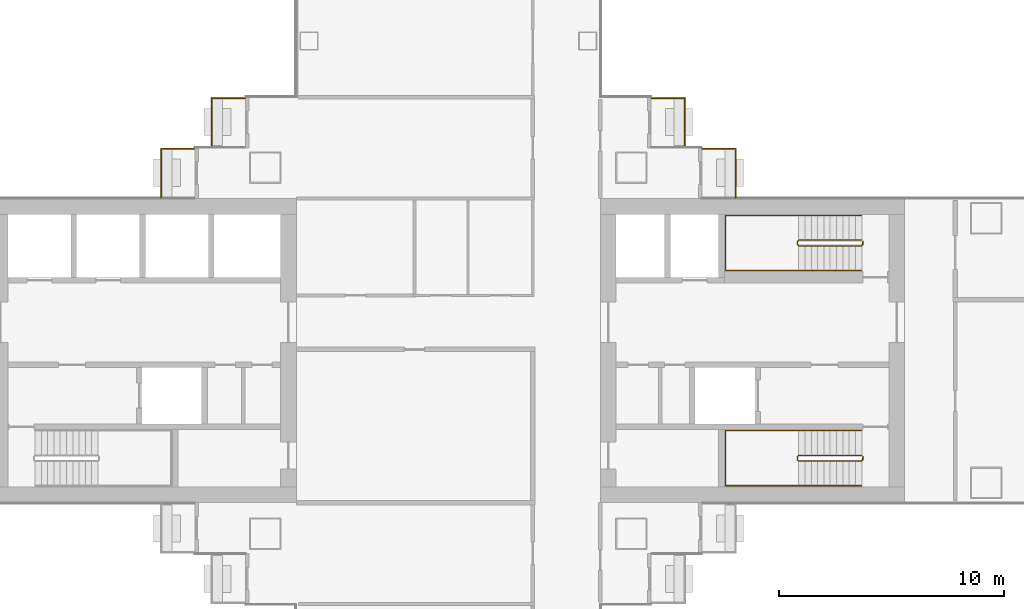
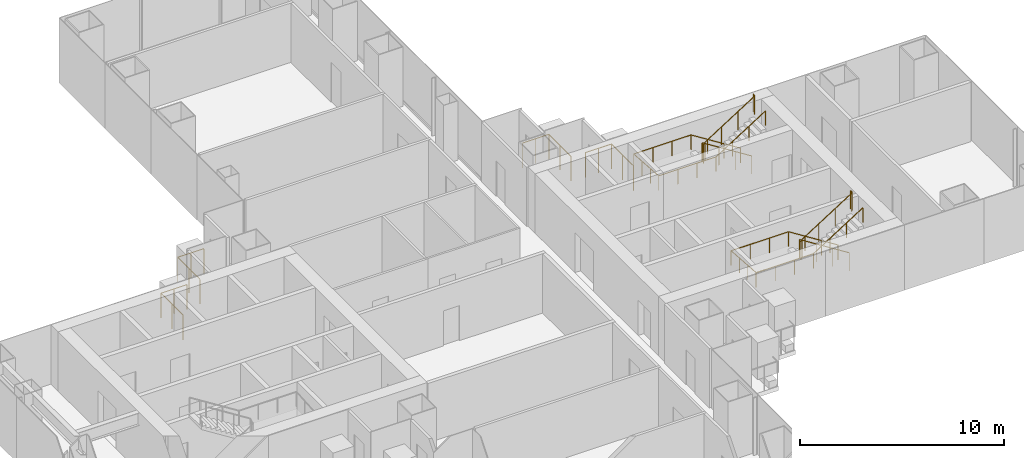
# One storey, part 20 of 21: 8 railings.
"""IFC4 building model written with IfcOpenShell, lengths in metres."""

from ifc_helpers import new_model, si_unit, direction, frame, origin, origin_2d, place, context, subcontext, project, spatial, circle, extrude, material, type_object, element, save


model = new_model("IFC4")

# Units and contexts
model_context = context("Model", 3, precision=1e-05, world=origin(), true_north=direction((0.0, 1.0)))
body_context = subcontext(model_context, "Body", "Model", "MODEL_VIEW")
ifc_project = project(units=[si_unit("LENGTHUNIT", "METRE"), si_unit("AREAUNIT", "SQUARE_METRE"), si_unit("VOLUMEUNIT", "CUBIC_METRE"), si_unit("PLANEANGLEUNIT", "RADIAN"), si_unit("MASSUNIT", "GRAM", prefix="KILO")], contexts=[model_context])

# Site, building, storey
site_placement = place(None, origin())
site = spatial("IfcSite", under=ifc_project, at=site_placement, CompositionType="ELEMENT")
building_placement = place(site_placement, origin())
building = spatial("IfcBuilding", under=site, at=building_placement, Name="Shamsa Quay Exchange Towers", CompositionType="ELEMENT")
storey_placement = place(building_placement, frame((0.0, 0.0, 49.800048828125)))
storey = spatial("IfcBuildingStorey", under=building, at=storey_placement, Name="L10", CompositionType="ELEMENT", Elevation=49.800048828125)

# Railings
ifc_material_1 = material(Name="Steel S355, black powder-coated", Category="steel")
railing_type_1 = type_object("IfcRailingType", Name="BALCONY GUARD 1500", PredefinedType="GUARDRAIL", material=ifc_material_1)
for number, where, name in (
    (1, (24.72900390625, 11.199951171875, 0.0), "Balcony guard T2-PKEN L10"),
    (2, (22.47900390625, 8.949951171875, 0.0), "Balcony guard T2-PKEN L10"),
):
    element("IfcRailing", number, at=place(storey_placement, frame(where)), inside=storey, type_object=railing_type_1, Name=name, PredefinedType="GUARDRAIL", context=body_context, shape_type="SweptSolid", body=[
        extrude(circle(Radius=0.02392578125, at=origin_2d()), frame((0.0, 0.0, 1.47607421875), z_axis=(-1.0, 0.0, 0.0), x_axis=(0.0, -1.0, 0.0)), (0.0, 0.0, 1.0), 1.47900390625),
        extrude(circle(Radius=0.02392578125, at=origin_2d()), frame((-1.47900390625, 0.0, 1.47607421875), z_axis=(0.0, -1.0, 0.0), x_axis=(1.0, 0.0, 0.0)), (0.0, 0.0, 1.0), 2.161865234375),
        extrude(circle(Radius=0.02099609375, at=origin_2d()), origin(), (0.0, 0.0, 1.0), 1.451904296875),
        extrude(circle(Radius=0.02099609375, at=origin_2d()), frame((-0.739501953125, 0.0, 0.0)), (0.0, 0.0, 1.0), 1.451904296875),
        extrude(circle(Radius=0.02099609375, at=origin_2d()), frame((-1.47900390625, 0.0, 0.0)), (0.0, 0.0, 1.0), 1.451904296875),
        extrude(circle(Radius=0.02099609375, at=origin_2d()), frame((-1.47900390625, -1.0810546875, 0.0)), (0.0, 0.0, 1.0), 1.451904296875),
        extrude(circle(Radius=0.02099609375, at=origin_2d()), frame((-1.47900390625, -2.161865234375, 0.0)), (0.0, 0.0, 1.0), 1.451904296875),
    ])
for number, where, name in (
    (3, (44.25, 9.0380859375, 0.0), "Balcony guard T2-PKES L10"),
    (4, (46.5, 6.7880859375, 0.0), "Balcony guard T2-PKES L10"),
):
    element("IfcRailing", number, at=place(storey_placement, frame(where)), inside=storey, type_object=railing_type_1, Name=name, PredefinedType="GUARDRAIL", context=body_context, shape_type="SweptSolid", body=[
        extrude(circle(Radius=0.02392578125, at=origin_2d()), frame((0.0, 0.0, 1.47607421875), z_axis=(0.0, 1.0, 0.0), x_axis=(-1.0, 0.0, 0.0)), (0.0, 0.0, 1.0), 2.161865234375),
        extrude(circle(Radius=0.02392578125, at=origin_2d()), frame((0.0, 2.161865234375, 1.47607421875), z_axis=(-1.0, 0.0, 0.0), x_axis=(0.0, -1.0, 0.0)), (0.0, 0.0, 1.0), 1.47900390625),
        extrude(circle(Radius=0.02099609375, at=origin_2d()), origin(), (0.0, 0.0, 1.0), 1.451904296875),
        extrude(circle(Radius=0.02099609375, at=origin_2d()), frame((0.0, 1.0810546875, 0.0)), (0.0, 0.0, 1.0), 1.451904296875),
        extrude(circle(Radius=0.02099609375, at=origin_2d()), frame((0.0, 2.161865234375, 0.0)), (0.0, 0.0, 1.0), 1.451904296875),
        extrude(circle(Radius=0.02099609375, at=origin_2d()), frame((-0.739501953125, 2.161865234375, 0.0)), (0.0, 0.0, 1.0), 1.451904296875),
        extrude(circle(Radius=0.02099609375, at=origin_2d()), frame((-1.47900390625, 2.161865234375, 0.0)), (0.0, 0.0, 1.0), 1.451904296875),
    ])
ifc_material_2 = material(Name="Stainless steel", Category="steel")
railing_type_2 = type_object("IfcRailingType", Name="STAIR GUARD 1100", PredefinedType="GUARDRAIL", material=ifc_material_2)
railing_1_placement = place(storey_placement, frame((52.10009765625, -4.64990234375, 0.17724609375)))
element("IfcRailing", 5, at=railing_1_placement, inside=storey, type_object=railing_type_2, Name="L10 ST5 stair guard 1", PredefinedType="GUARDRAIL", context=body_context, shape_type="SweptSolid", body=[
    extrude(circle(Radius=0.02392578125, at=origin_2d()), frame((0.0, 0.0, 1.076171875), z_axis=(-0.844908973607, 0.0, 0.534910110503), x_axis=(0.0, -1.0, 0.0)), (0.0, 0.0, 1.0), 3.31396484375),
    extrude(circle(Radius=0.02392578125, at=origin_2d()), frame((-2.800048828125, 0.0, 2.8486328125), z_axis=(-0.707106781187, -0.707106781187, 0.0), x_axis=(0.707106781187, -0.707106781187, 0.0)), (0.0, 0.0, 1.0), 0.07080078125),
    extrude(circle(Radius=0.02392578125, at=origin_2d()), frame((-2.85009765625, -0.050048828125, 2.8486328125), z_axis=(0.0, -1.0, 0.0), x_axis=(1.0, 0.0, 0.0)), (0.0, 0.0, 1.0), 0.150146484375),
    extrude(circle(Radius=0.02392578125, at=origin_2d()), frame((-2.85009765625, -0.2001953125, 2.8486328125), z_axis=(0.262321481514, -0.261041864531, 0.929001929653), x_axis=(0.705375805398, 0.708833529934, 0.0)), (0.0, 0.0, 1.0), 0.190673828125),
    extrude(circle(Radius=0.02392578125, at=origin_2d()), frame((-2.800048828125, -0.25, 3.02587890625), z_axis=(0.844908973607, 0.0, 0.534910110503), x_axis=(0.0, 1.0, 0.0)), (0.0, 0.0, 1.0), 3.31396484375),
    extrude(circle(Radius=0.02392578125, at=origin_2d()), frame((0.0, -0.25, 4.798828125), z_axis=(0.241699205484, 0.970351222016, 0.0), x_axis=(-0.970351222016, 0.241699205484, 0.0)), (0.0, 0.0, 1.0), 0.2060546875),
    extrude(circle(Radius=0.02392578125, at=origin_2d()), frame((0.0498046875, -0.050048828125, 4.798828125), z_axis=(0.0, -1.0, 0.0), x_axis=(1.0, 0.0, 0.0)), (0.0, 0.0, 1.0), 0.150146484375),
    extrude(circle(Radius=0.02099609375, at=origin_2d()), origin(), (0.0, 0.0, 1.0), 1.052001953125),
    extrude(circle(Radius=0.02099609375, at=origin_2d()), frame((-0.933349609375, 0.0, 0.5908203125)), (0.0, 0.0, 1.0), 1.052001953125),
    extrude(circle(Radius=0.02099609375, at=origin_2d()), frame((-1.86669921875, 0.0, 1.181884765625)), (0.0, 0.0, 1.0), 1.052001953125),
    extrude(circle(Radius=0.02099609375, at=origin_2d()), frame((-2.800048828125, 0.0, 1.772705078125)), (0.0, 0.0, 1.0), 1.052001953125),
    extrude(circle(Radius=0.02099609375, at=origin_2d()), frame((-2.85009765625, -0.050048828125, 1.772705078125)), (0.0, 0.0, 1.0), 1.052001953125),
    extrude(circle(Radius=0.02099609375, at=origin_2d()), frame((-2.85009765625, -0.2001953125, 1.772705078125)), (0.0, 0.0, 1.0), 1.052001953125),
    extrude(circle(Radius=0.02099609375, at=origin_2d()), frame((-2.800048828125, -0.25, 1.949951171875)), (0.0, 0.0, 1.0), 1.052001953125),
    extrude(circle(Radius=0.02099609375, at=origin_2d()), frame((-1.86669921875, -0.25, 2.540771484375)), (0.0, 0.0, 1.0), 1.052001953125),
    extrude(circle(Radius=0.02099609375, at=origin_2d()), frame((-0.933349609375, -0.25, 3.1318359375)), (0.0, 0.0, 1.0), 1.052001953125),
    extrude(circle(Radius=0.02099609375, at=origin_2d()), frame((0.0, -0.25, 3.72265625)), (0.0, 0.0, 1.0), 1.052001953125),
    extrude(circle(Radius=0.02099609375, at=origin_2d()), frame((0.0498046875, -0.050048828125, 3.72265625)), (0.0, 0.0, 1.0), 1.052001953125),
    extrude(circle(Radius=0.02099609375, at=origin_2d()), frame((0.0498046875, -0.2001953125, 3.72265625)), (0.0, 0.0, 1.0), 1.052001953125),
])
railing_2_placement = place(storey_placement, frame((52.10009765625, 4.89990234375, 0.17724609375)))
element("IfcRailing", 6, at=railing_2_placement, inside=storey, type_object=railing_type_2, Name="L10 ST6 stair guard 1", PredefinedType="GUARDRAIL", context=body_context, shape_type="SweptSolid", body=[
    extrude(circle(Radius=0.02392578125, at=origin_2d()), frame((0.0, 0.0, 1.076171875), z_axis=(-0.844908973607, 0.0, 0.534910110503), x_axis=(0.0, -1.0, 0.0)), (0.0, 0.0, 1.0), 3.31396484375),
    extrude(circle(Radius=0.02392578125, at=origin_2d()), frame((-2.800048828125, 0.0, 2.8486328125), z_axis=(-0.708833529934, -0.705375805398, 0.0), x_axis=(0.705375805398, -0.708833529934, 0.0)), (0.0, 0.0, 1.0), 0.070556640625),
    extrude(circle(Radius=0.02392578125, at=origin_2d()), frame((-2.85009765625, -0.0498046875, 2.8486328125), z_axis=(0.0, -1.0, 0.0), x_axis=(1.0, 0.0, 0.0)), (0.0, 0.0, 1.0), 0.150146484375),
    extrude(circle(Radius=0.02392578125, at=origin_2d()), frame((-2.85009765625, -0.199951171875, 2.8486328125), z_axis=(0.262233686654, -0.262233686654, 0.928691007369), x_axis=(0.707106781187, 0.707106781187, 0.0)), (0.0, 0.0, 1.0), 0.19091796875),
    extrude(circle(Radius=0.02392578125, at=origin_2d()), frame((-2.800048828125, -0.25, 3.02587890625), z_axis=(0.844908973607, 0.0, 0.534910110503), x_axis=(0.0, 1.0, 0.0)), (0.0, 0.0, 1.0), 3.31396484375),
    extrude(circle(Radius=0.02392578125, at=origin_2d()), frame((0.0, -0.25, 4.798828125), z_axis=(0.24142163986, 0.970420317083, 0.0), x_axis=(-0.970420317083, 0.24142163986, 0.0)), (0.0, 0.0, 1.0), 0.206298828125),
    extrude(circle(Radius=0.02392578125, at=origin_2d()), frame((0.0498046875, -0.0498046875, 4.798828125), z_axis=(0.0, -1.0, 0.0), x_axis=(1.0, 0.0, 0.0)), (0.0, 0.0, 1.0), 0.150146484375),
    extrude(circle(Radius=0.02099609375, at=origin_2d()), origin(), (0.0, 0.0, 1.0), 1.052001953125),
    extrude(circle(Radius=0.02099609375, at=origin_2d()), frame((-0.933349609375, 0.0, 0.5908203125)), (0.0, 0.0, 1.0), 1.052001953125),
    extrude(circle(Radius=0.02099609375, at=origin_2d()), frame((-1.86669921875, 0.0, 1.181884765625)), (0.0, 0.0, 1.0), 1.052001953125),
    extrude(circle(Radius=0.02099609375, at=origin_2d()), frame((-2.800048828125, 0.0, 1.772705078125)), (0.0, 0.0, 1.0), 1.052001953125),
    extrude(circle(Radius=0.02099609375, at=origin_2d()), frame((-2.85009765625, -0.0498046875, 1.772705078125)), (0.0, 0.0, 1.0), 1.052001953125),
    extrude(circle(Radius=0.02099609375, at=origin_2d()), frame((-2.85009765625, -0.199951171875, 1.772705078125)), (0.0, 0.0, 1.0), 1.052001953125),
    extrude(circle(Radius=0.02099609375, at=origin_2d()), frame((-2.800048828125, -0.25, 1.949951171875)), (0.0, 0.0, 1.0), 1.052001953125),
    extrude(circle(Radius=0.02099609375, at=origin_2d()), frame((-1.86669921875, -0.25, 2.540771484375)), (0.0, 0.0, 1.0), 1.052001953125),
    extrude(circle(Radius=0.02099609375, at=origin_2d()), frame((-0.933349609375, -0.25, 3.1318359375)), (0.0, 0.0, 1.0), 1.052001953125),
    extrude(circle(Radius=0.02099609375, at=origin_2d()), frame((0.0, -0.25, 3.72265625)), (0.0, 0.0, 1.0), 1.052001953125),
    extrude(circle(Radius=0.02099609375, at=origin_2d()), frame((0.0498046875, -0.0498046875, 3.72265625)), (0.0, 0.0, 1.0), 1.052001953125),
    extrude(circle(Radius=0.02099609375, at=origin_2d()), frame((0.0498046875, -0.199951171875, 3.72265625)), (0.0, 0.0, 1.0), 1.052001953125),
])
railing_type_3 = type_object("IfcRailingType", Name="STAIR HANDRAIL 900", PredefinedType="HANDRAIL", material=ifc_material_2)
railing_3_placement = place(storey_placement, frame((52.10009765625, -3.550048828125, 0.17724609375)))
element("IfcRailing", 7, at=railing_3_placement, inside=storey, type_object=railing_type_3, Name="L10 ST5 stair handrail 1", PredefinedType="HANDRAIL", context=body_context, shape_type="SweptSolid", body=[
    extrude(circle(Radius=0.02392578125, at=origin_2d()), frame((0.0, 0.0, 0.8759765625), z_axis=(-0.844908973607, 0.0, 0.534910110503), x_axis=(0.0, -1.0, 0.0)), (0.0, 0.0, 1.0), 3.31396484375),
    extrude(circle(Radius=0.02392578125, at=origin_2d()), frame((-2.800048828125, 0.0, 2.6484375), z_axis=(-1.0, 0.0, 0.0), x_axis=(0.0, -1.0, 0.0)), (0.0, 0.0, 1.0), 3.25),
    extrude(circle(Radius=0.02392578125, at=origin_2d()), frame((-6.050048828125, 0.0, 2.6484375), z_axis=(0.0, -0.997393199914, 0.07215819264), x_axis=(1.0, 0.0, 0.0)), (0.0, 0.0, 1.0), 2.456298828125),
    extrude(circle(Radius=0.02392578125, at=origin_2d()), frame((-6.050048828125, -2.449951171875, 2.82568359375), z_axis=(1.0, 0.0, 0.0), x_axis=(0.0, 1.0, 0.0)), (0.0, 0.0, 1.0), 3.25),
    extrude(circle(Radius=0.02392578125, at=origin_2d()), frame((-2.800048828125, -2.449951171875, 2.82568359375), z_axis=(0.844908973607, 0.0, 0.534910110503), x_axis=(0.0, 1.0, 0.0)), (0.0, 0.0, 1.0), 3.31396484375),
    extrude(circle(Radius=0.02099609375, at=origin_2d()), origin(), (0.0, 0.0, 1.0), 0.851806640625),
    extrude(circle(Radius=0.02099609375, at=origin_2d()), frame((-0.933349609375, 0.0, 0.5908203125)), (0.0, 0.0, 1.0), 0.851806640625),
    extrude(circle(Radius=0.02099609375, at=origin_2d()), frame((-1.86669921875, 0.0, 1.181884765625)), (0.0, 0.0, 1.0), 0.851806640625),
    extrude(circle(Radius=0.02099609375, at=origin_2d()), frame((-2.800048828125, 0.0, 1.772705078125)), (0.0, 0.0, 1.0), 0.851806640625),
    extrude(circle(Radius=0.02099609375, at=origin_2d()), frame((-3.88330078125, 0.0, 1.772705078125)), (0.0, 0.0, 1.0), 0.851806640625),
    extrude(circle(Radius=0.02099609375, at=origin_2d()), frame((-4.966796875, 0.0, 1.772705078125)), (0.0, 0.0, 1.0), 0.851806640625),
    extrude(circle(Radius=0.02099609375, at=origin_2d()), frame((-6.050048828125, 0.0, 1.772705078125)), (0.0, 0.0, 1.0), 0.851806640625),
    extrude(circle(Radius=0.02099609375, at=origin_2d()), frame((-6.050048828125, -0.816650390625, 1.831787109375)), (0.0, 0.0, 1.0), 0.851806640625),
    extrude(circle(Radius=0.02099609375, at=origin_2d()), frame((-6.050048828125, -1.63330078125, 1.890869140625)), (0.0, 0.0, 1.0), 0.851806640625),
    extrude(circle(Radius=0.02099609375, at=origin_2d()), frame((-6.050048828125, -2.449951171875, 1.949951171875)), (0.0, 0.0, 1.0), 0.851806640625),
    extrude(circle(Radius=0.02099609375, at=origin_2d()), frame((-4.966796875, -2.449951171875, 1.949951171875)), (0.0, 0.0, 1.0), 0.851806640625),
    extrude(circle(Radius=0.02099609375, at=origin_2d()), frame((-3.88330078125, -2.449951171875, 1.949951171875)), (0.0, 0.0, 1.0), 0.851806640625),
    extrude(circle(Radius=0.02099609375, at=origin_2d()), frame((-2.800048828125, -2.449951171875, 1.949951171875)), (0.0, 0.0, 1.0), 0.851806640625),
    extrude(circle(Radius=0.02099609375, at=origin_2d()), frame((-1.86669921875, -2.449951171875, 2.540771484375)), (0.0, 0.0, 1.0), 0.851806640625),
    extrude(circle(Radius=0.02099609375, at=origin_2d()), frame((-0.933349609375, -2.449951171875, 3.1318359375)), (0.0, 0.0, 1.0), 0.851806640625),
    extrude(circle(Radius=0.02099609375, at=origin_2d()), frame((0.0, -2.449951171875, 3.72265625)), (0.0, 0.0, 1.0), 0.851806640625),
])
railing_4_placement = place(storey_placement, frame((52.10009765625, 6.0, 0.17724609375)))
element("IfcRailing", 8, at=railing_4_placement, inside=storey, type_object=railing_type_3, Name="L10 ST6 stair handrail 1", PredefinedType="HANDRAIL", context=body_context, shape_type="SweptSolid", body=[
    extrude(circle(Radius=0.02392578125, at=origin_2d()), frame((0.0, 0.0, 0.8759765625), z_axis=(-0.844908973607, 0.0, 0.534910110503), x_axis=(0.0, -1.0, 0.0)), (0.0, 0.0, 1.0), 3.31396484375),
    extrude(circle(Radius=0.02392578125, at=origin_2d()), frame((-2.800048828125, 0.0, 2.6484375), z_axis=(-1.0, 0.0, 0.0), x_axis=(0.0, -1.0, 0.0)), (0.0, 0.0, 1.0), 3.25),
    extrude(circle(Radius=0.02392578125, at=origin_2d()), frame((-6.050048828125, 0.0, 2.6484375), z_axis=(0.0, -0.997393199914, 0.07215819264), x_axis=(1.0, 0.0, 0.0)), (0.0, 0.0, 1.0), 2.456298828125),
    extrude(circle(Radius=0.02392578125, at=origin_2d()), frame((-6.050048828125, -2.449951171875, 2.82568359375), z_axis=(1.0, 0.0, 0.0), x_axis=(0.0, 1.0, 0.0)), (0.0, 0.0, 1.0), 3.25),
    extrude(circle(Radius=0.02392578125, at=origin_2d()), frame((-2.800048828125, -2.449951171875, 2.82568359375), z_axis=(0.844908973607, 0.0, 0.534910110503), x_axis=(0.0, 1.0, 0.0)), (0.0, 0.0, 1.0), 3.31396484375),
    extrude(circle(Radius=0.02099609375, at=origin_2d()), origin(), (0.0, 0.0, 1.0), 0.851806640625),
    extrude(circle(Radius=0.02099609375, at=origin_2d()), frame((-0.933349609375, 0.0, 0.5908203125)), (0.0, 0.0, 1.0), 0.851806640625),
    extrude(circle(Radius=0.02099609375, at=origin_2d()), frame((-1.86669921875, 0.0, 1.181884765625)), (0.0, 0.0, 1.0), 0.851806640625),
    extrude(circle(Radius=0.02099609375, at=origin_2d()), frame((-2.800048828125, 0.0, 1.772705078125)), (0.0, 0.0, 1.0), 0.851806640625),
    extrude(circle(Radius=0.02099609375, at=origin_2d()), frame((-3.88330078125, 0.0, 1.772705078125)), (0.0, 0.0, 1.0), 0.851806640625),
    extrude(circle(Radius=0.02099609375, at=origin_2d()), frame((-4.966796875, 0.0, 1.772705078125)), (0.0, 0.0, 1.0), 0.851806640625),
    extrude(circle(Radius=0.02099609375, at=origin_2d()), frame((-6.050048828125, 0.0, 1.772705078125)), (0.0, 0.0, 1.0), 0.851806640625),
    extrude(circle(Radius=0.02099609375, at=origin_2d()), frame((-6.050048828125, -0.816650390625, 1.831787109375)), (0.0, 0.0, 1.0), 0.851806640625),
    extrude(circle(Radius=0.02099609375, at=origin_2d()), frame((-6.050048828125, -1.63330078125, 1.890869140625)), (0.0, 0.0, 1.0), 0.851806640625),
    extrude(circle(Radius=0.02099609375, at=origin_2d()), frame((-6.050048828125, -2.449951171875, 1.949951171875)), (0.0, 0.0, 1.0), 0.851806640625),
    extrude(circle(Radius=0.02099609375, at=origin_2d()), frame((-4.966796875, -2.449951171875, 1.949951171875)), (0.0, 0.0, 1.0), 0.851806640625),
    extrude(circle(Radius=0.02099609375, at=origin_2d()), frame((-3.88330078125, -2.449951171875, 1.949951171875)), (0.0, 0.0, 1.0), 0.851806640625),
    extrude(circle(Radius=0.02099609375, at=origin_2d()), frame((-2.800048828125, -2.449951171875, 1.949951171875)), (0.0, 0.0, 1.0), 0.851806640625),
    extrude(circle(Radius=0.02099609375, at=origin_2d()), frame((-1.86669921875, -2.449951171875, 2.540771484375)), (0.0, 0.0, 1.0), 0.851806640625),
    extrude(circle(Radius=0.02099609375, at=origin_2d()), frame((-0.933349609375, -2.449951171875, 3.1318359375)), (0.0, 0.0, 1.0), 0.851806640625),
    extrude(circle(Radius=0.02099609375, at=origin_2d()), frame((0.0, -2.449951171875, 3.72265625)), (0.0, 0.0, 1.0), 0.851806640625),
])

save(model, "model.ifc")
